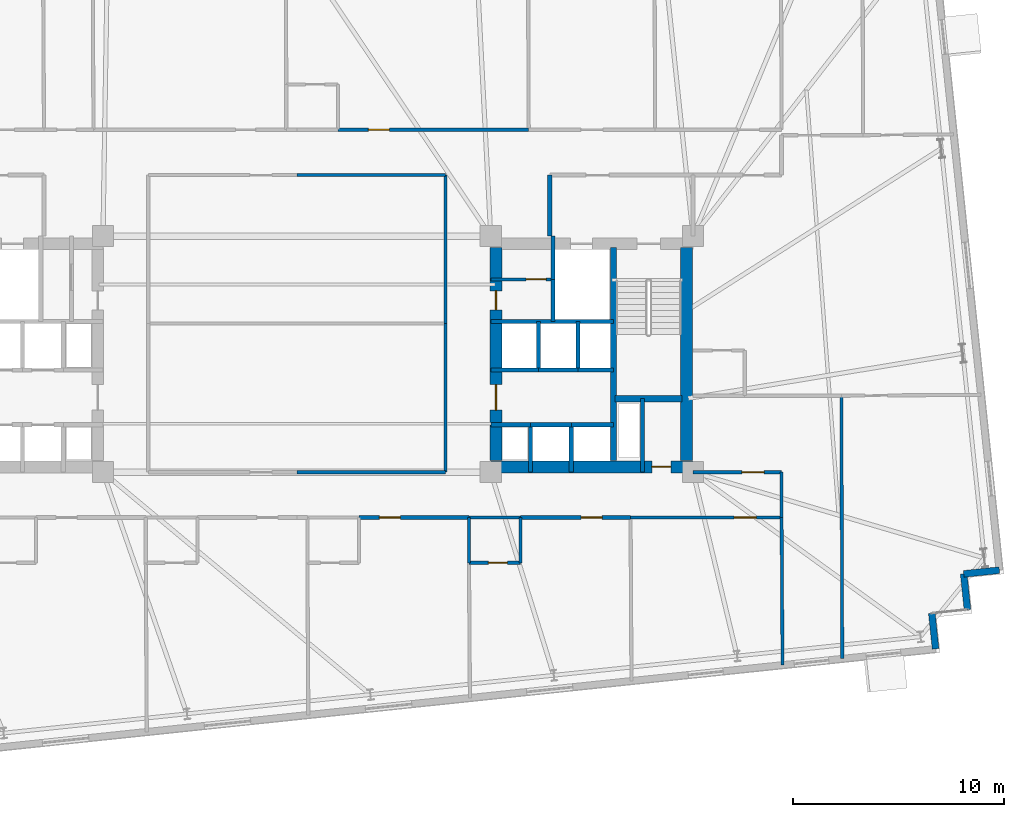
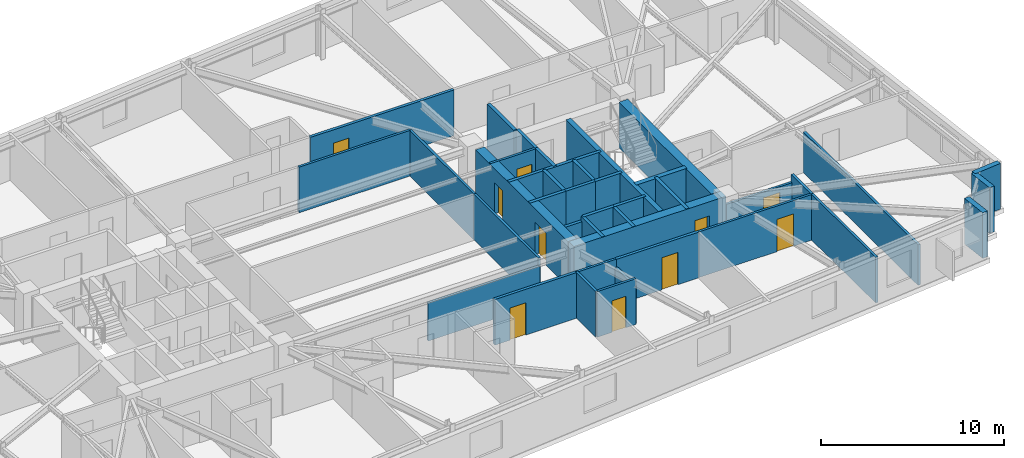
# One storey, part 14 of 18: 40 walls, 10 doors, 10 openings.
"""IFC4 building model written with IfcOpenShell, lengths in metres."""

import ifcopenshell
import ifcopenshell.guid

model = None  # the IFC model being written
_history = None  # IfcOwnerHistory: only IFC2X3 demands one
_inside = {}  # id of a spatial element -> (the spatial element, [elements in it])
_under = {}  # id of a project, library or spatial element -> (it, [spatial elements below it])
_declared = {}  # id of a project -> (the project, [libraries it declares])
_typed = {}  # id of a type object -> (the type object, [elements of that type])
_made_of = {}  # id of a material, layer set ... -> (it, [elements and type objects made of it])


def new_model(schema):
    """Start an empty IFC model of exactly this schema.

    Asked for "IFC4X3", IfcOpenShell would pick the latest addendum, in which some entities
    have other attributes; the version numbers below select the first issue.
    IFC2X3 requires an IfcOwnerHistory on every rooted entity: one is made here for all.
    """
    global model, _history
    if schema == "IFC4X3":
        model = ifcopenshell.file(schema_version=(4, 3, 0, 0))
    else:
        model = ifcopenshell.file(schema=schema)
    _inside.clear()
    _under.clear()
    _declared.clear()
    _typed.clear()
    _made_of.clear()
    _history = None
    if model.schema == "IFC2X3":
        org = make("IfcOrganization", Name="unknown")
        user = make(
            "IfcPersonAndOrganization",
            ThePerson=make("IfcPerson", FamilyName="unknown"),
            TheOrganization=org,
        )
        app = make(
            "IfcApplication",
            ApplicationDeveloper=org,
            Version="unknown",
            ApplicationFullName="unknown",
            ApplicationIdentifier="unknown",
        )
        _history = make(
            "IfcOwnerHistory",
            OwningUser=user,
            OwningApplication=app,
            ChangeAction="ADDED",
            CreationDate=0,
        )
    return model


def make(cls, **values):
    """One entity of the class cls with the attributes given. An attribute that is None is left unset."""
    return model.create_entity(
        cls, **{name: value for name, value in values.items() if value is not None}
    )


def rooted(cls, **values):
    """An entity with a GlobalId (a new one), such as an element, a storey or a relation."""
    return make(cls, GlobalId=ifcopenshell.guid.new(), OwnerHistory=_history, **values)


def si_unit(unit_type, name, prefix=None):
    """IfcSIUnit, for example si_unit("LENGTHUNIT", "METRE", prefix="MILLI")."""
    return make("IfcSIUnit", UnitType=unit_type, Prefix=prefix, Name=name)


def assignment(units):
    """IfcUnitAssignment: the units of a project."""
    return None if units is None else make("IfcUnitAssignment", Units=units)


def point(xyz):
    """IfcCartesianPoint."""
    return None if xyz is None else make("IfcCartesianPoint", Coordinates=xyz)


def direction(xyz):
    """IfcDirection."""
    return None if xyz is None else make("IfcDirection", DirectionRatios=xyz)


def frame(location, z_axis=None, x_axis=None):
    """IfcAxis2Placement3D, a coordinate frame: its origin and axes. An axis left out is left unset."""
    return make(
        "IfcAxis2Placement3D",
        Location=point(location),
        Axis=direction(z_axis),
        RefDirection=direction(x_axis),
    )


def frame_2d(location, x_axis=None):
    """IfcAxis2Placement2D, a coordinate frame in the plane: its origin and x axis."""
    return make(
        "IfcAxis2Placement2D", Location=point(location), RefDirection=direction(x_axis)
    )


def origin():
    """The frame at (0, 0, 0) with its axes left unset."""
    return frame((0.0, 0.0, 0.0))


def place(relative_to, where):
    """IfcLocalPlacement: puts the frame where relative to a parent placement (None: the world)."""
    return make(
        "IfcLocalPlacement", PlacementRelTo=relative_to, RelativePlacement=where
    )


def context(
    kind, dimensions, precision=None, world=None, true_north=None, identifier=None
):
    """IfcGeometricRepresentationContext, for example the 3D "Model" context."""
    return make(
        "IfcGeometricRepresentationContext",
        ContextIdentifier=identifier,
        ContextType=kind,
        CoordinateSpaceDimension=dimensions,
        Precision=precision,
        WorldCoordinateSystem=world,
        TrueNorth=true_north,
    )


def subcontext(parent, identifier, kind, view, scale=None):
    """IfcGeometricRepresentationSubContext, for example "Body" below "Model"."""
    return make(
        "IfcGeometricRepresentationSubContext",
        ContextIdentifier=identifier,
        ContextType=kind,
        ParentContext=parent,
        TargetScale=scale,
        TargetView=view,
    )


def project(units=None, contexts=None):
    """IfcProject with its units and contexts."""
    return rooted(
        "IfcProject",
        Name="project",
        RepresentationContexts=contexts,
        UnitsInContext=assignment(units),
    )


def spatial(cls, under=None, at=None, **own):
    """A site, building, storey or space (cls), placed at a placement, below another one or the project."""
    s = rooted(cls, ObjectPlacement=at, **own)
    if under is not None:
        _under.setdefault(under.id(), (under, []))[1].append(s)
    return s


def profile(cls, at=None, kind="AREA", **sizes):
    """A parametric profile (cls). Its sizes go by their IFC names, for example OverallWidth=200.0."""
    return make(cls, ProfileType=kind, Position=at, **sizes)


def rectangle(**sizes):
    """IfcRectangleProfileDef."""
    return profile("IfcRectangleProfileDef", **sizes)


def extrude(swept, where, along, depth):
    """IfcExtrudedAreaSolid: the profile swept, set in the frame where, extruded along a direction by depth."""
    return make(
        "IfcExtrudedAreaSolid",
        SweptArea=swept,
        Position=where,
        ExtrudedDirection=direction(along),
        Depth=depth,
    )


def shape(context_of_items, identifier, shape_type, items):
    """IfcShapeRepresentation: the items that make up one representation, for example the "Body"."""
    return make(
        "IfcShapeRepresentation",
        ContextOfItems=context_of_items,
        RepresentationIdentifier=identifier,
        RepresentationType=shape_type,
        Items=items,
    )


def material(Name=None, Category=None):
    """IfcMaterial."""
    return make("IfcMaterial", Name=Name, Category=Category)


def layer(
    of_material, thickness, ventilated=None, Name=None, Category=None, Priority=None
):
    """IfcMaterialLayer: one layer of a wall or slab, of a material (None: an air gap)."""
    return make(
        "IfcMaterialLayer",
        Material=of_material,
        LayerThickness=thickness,
        IsVentilated=ventilated,
        Name=Name,
        Category=Category,
        Priority=Priority,
    )


def layer_set(layers, Name=None):
    """IfcMaterialLayerSet."""
    return make("IfcMaterialLayerSet", MaterialLayers=layers, LayerSetName=Name)


def made_of(thing, what):
    """Note that an element or type object is made of a material, layer set ...; save() writes the relation."""
    if what is not None:
        _made_of.setdefault(what.id(), (what, []))[1].append(thing)
    return thing


def type_object(cls, material=None, **own):
    """A type object (cls), such as IfcWallType, which elements share."""
    return made_of(rooted(cls, **own), material)


def element(
    cls,
    number,
    at=None,
    inside=None,
    cuts=None,
    type_object=None,
    material=None,
    context=None,
    identifier="Body",
    shape_type=None,
    held_by="IfcProductDefinitionShape",
    body=None,
    shapes=None,
    **own,
):
    """One element of the class cls, such as IfcWall. Its Tag is "e" and its number.

    at: its placement. inside: the storey or other place that contains it. cuts: it is an
    opening in that element (IfcRelVoidsElement). A single representation is given by context,
    identifier, shape_type and body (its items); several are given by shapes. held_by: the class
    of the entity that holds the representations. save() writes the other relations.
    """
    e = rooted(cls, Tag="e%d" % number, ObjectPlacement=at, **own)
    if body is not None:
        shapes = [shape(context, identifier, shape_type, body)]
    if shapes is not None:
        e.Representation = make(held_by, Representations=shapes)
    if inside is not None:
        _inside.setdefault(inside.id(), (inside, []))[1].append(e)
    if cuts is not None:
        rooted(
            "IfcRelVoidsElement", RelatingBuildingElement=cuts, RelatedOpeningElement=e
        )
    if type_object is not None:
        _typed.setdefault(type_object.id(), (type_object, []))[1].append(e)
    return made_of(e, material)


def fill(opening, filler):
    """IfcRelFillsElement: the door or window that sits in an opening."""
    return rooted(
        "IfcRelFillsElement",
        RelatingOpeningElement=opening,
        RelatedBuildingElement=filler,
    )


def aggregate(whole, parts):
    """IfcRelAggregates: a whole, such as a stair, and the parts it consists of."""
    return rooted("IfcRelAggregates", RelatingObject=whole, RelatedObjects=parts)


def save(model, path):
    """Write the relations noted so far, then the file.

    IfcRelAggregates (storeys below a building ...), IfcRelContainedInSpatialStructure (elements
    in a storey), IfcRelDefinesByType, IfcRelAssociatesMaterial and IfcRelDeclares: one each for
    every whole, place, type object, material and project.
    """
    for whole, parts in _under.values():
        aggregate(whole, parts)
    for where, things in _inside.values():
        rooted(
            "IfcRelContainedInSpatialStructure",
            RelatedElements=things,
            RelatingStructure=where,
        )
    for kind, things in _typed.values():
        rooted("IfcRelDefinesByType", RelatedObjects=things, RelatingType=kind)
    for what, things in _made_of.values():
        rooted("IfcRelAssociatesMaterial", RelatedObjects=things, RelatingMaterial=what)
    for by, libraries in _declared.values():
        rooted("IfcRelDeclares", RelatingContext=by, RelatedDefinitions=libraries)
    model.write(path)


model = new_model("IFC4")

# Units and contexts
model_context = context("Model", 3, precision=1e-05, world=origin(), true_north=direction((0.0, 1.0)))
body_context = subcontext(model_context, "Body", "Model", "MODEL_VIEW")
ifc_project = project(units=[si_unit("LENGTHUNIT", "METRE"), si_unit("AREAUNIT", "SQUARE_METRE"), si_unit("VOLUMEUNIT", "CUBIC_METRE"), si_unit("PLANEANGLEUNIT", "RADIAN"), si_unit("MASSUNIT", "GRAM", prefix="KILO")], contexts=[model_context])

# Site, building, storey
site_placement = place(None, origin())
site = spatial("IfcSite", under=ifc_project, at=site_placement, CompositionType="ELEMENT")
building_placement = place(site_placement, origin())
building = spatial("IfcBuilding", under=site, at=building_placement, Name="Qobustan Lattice House", CompositionType="ELEMENT")
storey_placement = place(building_placement, frame((0.0, 0.0, 92.39990234375)))
storey = spatial("IfcBuildingStorey", under=building, at=storey_placement, Name="L25", CompositionType="ELEMENT", Elevation=92.39990234375)

# Wall, opening, door
ifc_material_1 = material(Name="Concrete C60/75", Category="concrete")
ifc_layer_1 = layer(ifc_material_1, 0.56005859375)
ifc_layer_set_1 = layer_set([ifc_layer_1], Name="Concrete C60/75")
wall_type_1 = type_object("IfcWallType", Name="WAL-CORE-600", PredefinedType="SHEAR", material=ifc_layer_set_1)
wall_1_placement = place(storey_placement, frame((9.199951171875, -5.35009765625, 0.0), z_axis=(0.0, 0.0, 1.0), x_axis=(1.0, 0.0, 0.0)))
wall_1 = element("IfcWall", 1, at=wall_1_placement, inside=storey, type_object=wall_type_1, Name="L25 split-core shear wall CE-S", PredefinedType="SHEAR", context=body_context, shape_type="SweptSolid", body=[
    extrude(rectangle(XDim=9.60009765625, YDim=0.56005859375, at=frame_2d((4.800048828125, 0.0))), origin(), (0.0, 0.0, 1.0), 3.045166015625),
])
opening_1_placement = place(wall_1_placement, frame((7.64990234375, 0.0, 0.0)))
opening_1 = element("IfcOpeningElement", 2, at=opening_1_placement, cuts=wall_1, Name="Opening RD-01", PredefinedType="OPENING", context=body_context, shape_type="SweptSolid", body=[
    extrude(rectangle(XDim=0.89990234375, YDim=2.10009765625, at=frame_2d((0.449951171875, 1.050048828125))), frame((0.0, 0.2900390625, 0.0), z_axis=(0.0, -1.0, 0.0), x_axis=(1.0, 0.0, 0.0)), (0.0, 0.0, 1.0), 0.580078125),
])
ifc_material_2 = material(Name="Persian walnut timber and steel frame door", Category="steel")
door_type_1 = type_object("IfcDoorType", Name="DOR-RISER-FD-900x2100", OperationType="NOTDEFINED", PredefinedType="DOOR", material=ifc_material_2)
door_1_placement = place(opening_1_placement, origin())
door_1 = element("IfcDoor", 3, at=door_1_placement, inside=storey, type_object=door_type_1, Name="L25 core service riser access door E", OperationType="SINGLE_SWING_LEFT", OverallHeight=2.10009765625, OverallWidth=0.89990234375, PredefinedType="DOOR", context=body_context, shape_type="SweptSolid", body=[
    extrude(rectangle(XDim=0.89990234375, YDim=2.10009765625, at=frame_2d((0.449951171875, 1.050048828125))), frame((0.0, 0.02490234375, 0.0), z_axis=(0.0, -1.0, 0.0), x_axis=(1.0, 0.0, 0.0)), (0.0, 0.0, 1.0), 0.050048828125),
])
fill(opening_1, door_1)

# Wall, openings, doors
wall_2_placement = place(storey_placement, frame((9.449951171875, -5.050048828125, 0.0), z_axis=(0.0, 0.0, 1.0), x_axis=(0.0, 1.0, 0.0)))
wall_2 = element("IfcWall", 4, at=wall_2_placement, inside=storey, type_object=wall_type_1, Name="L25 split-core shear wall CE-W", PredefinedType="SHEAR", context=body_context, shape_type="SweptSolid", body=[
    extrude(rectangle(XDim=10.10009765625, YDim=0.56005859375, at=frame_2d((5.050048828125, 0.0))), origin(), (0.0, 0.0, 1.0), 3.045166015625),
])
opening_2_placement = place(wall_2_placement, frame((7.14990234375, 0.0, 0.0)))
opening_2 = element("IfcOpeningElement", 5, at=opening_2_placement, cuts=wall_2, Name="Opening RD-01", PredefinedType="OPENING", context=body_context, shape_type="SweptSolid", body=[
    extrude(rectangle(XDim=0.89990234375, YDim=2.10009765625, at=frame_2d((0.449951171875, 1.050048828125))), frame((0.0, 0.2900390625, 0.0), z_axis=(0.0, -1.0, 0.0), x_axis=(1.0, 0.0, 0.0)), (0.0, 0.0, 1.0), 0.580078125),
])
opening_3_placement = place(wall_2_placement, frame((2.39990234375, 0.0, 0.0)))
opening_3 = element("IfcOpeningElement", 6, at=opening_3_placement, cuts=wall_2, Name="Opening FD-01", PredefinedType="OPENING", context=body_context, shape_type="SweptSolid", body=[
    extrude(rectangle(XDim=1.199951171875, YDim=2.14990234375, at=frame_2d((0.60009765625, 1.074951171875))), frame((0.0, 0.2900390625, 0.0), z_axis=(0.0, -1.0, 0.0), x_axis=(1.0, 0.0, 0.0)), (0.0, 0.0, 1.0), 0.580078125),
])
ifc_material_3 = material(Name="Persian walnut timber and steel frame door", Category="steel")
door_type_2 = type_object("IfcDoorType", Name="DOR-LOBBY-FD-1200x2150", OperationType="NOTDEFINED", PredefinedType="DOOR", material=ifc_material_3)
door_2_placement = place(opening_3_placement, origin())
door_2 = element("IfcDoor", 7, at=door_2_placement, inside=storey, type_object=door_type_2, Name="L25 East passenger lift lobby fire door", OperationType="SINGLE_SWING_LEFT", OverallHeight=2.14990234375, OverallWidth=1.199951171875, PredefinedType="DOOR", context=body_context, shape_type="SweptSolid", body=[
    extrude(rectangle(XDim=1.199951171875, YDim=2.14990234375, at=frame_2d((0.60009765625, 1.074951171875))), frame((0.0, 0.02490234375, 0.0), z_axis=(0.0, -1.0, 0.0), x_axis=(1.0, 0.0, 0.0)), (0.0, 0.0, 1.0), 0.050048828125),
])
fill(opening_3, door_2)
door_3_placement = place(opening_2_placement, origin())
door_3 = element("IfcDoor", 8, at=door_3_placement, inside=storey, type_object=door_type_1, Name="L25 Housekeeping utility foyer fire door", OperationType="SINGLE_SWING_RIGHT", OverallHeight=2.10009765625, OverallWidth=0.89990234375, PredefinedType="DOOR", context=body_context, shape_type="SweptSolid", body=[
    extrude(rectangle(XDim=0.89990234375, YDim=2.10009765625, at=frame_2d((0.449951171875, 1.050048828125))), frame((0.0, 0.02490234375, 0.0), z_axis=(0.0, -1.0, 0.0), x_axis=(1.0, 0.0, 0.0)), (0.0, 0.0, 1.0), 0.050048828125),
])
fill(opening_2, door_3)

# Walls
wall_3_placement = place(storey_placement, frame((18.489990234375, -5.050048828125, 0.0), z_axis=(0.0, 0.0, 1.0), x_axis=(0.0, 1.0, 0.0)))
element("IfcWall", 9, at=wall_3_placement, inside=storey, type_object=wall_type_1, Name="L25 split-core shear wall CE-E", PredefinedType="SHEAR", context=body_context, shape_type="SweptSolid", body=[
    extrude(rectangle(XDim=10.10009765625, YDim=0.56005859375, at=frame_2d((5.050048828125, 0.0))), origin(), (0.0, 0.0, 1.0), 3.045166015625),
])
ifc_material_4 = material(Name="Concrete C50/60", Category="concrete")
ifc_layer_2 = layer(ifc_material_4, 0.280029296875)
ifc_layer_set_2 = layer_set([ifc_layer_2], Name="Concrete C50/60")
wall_type_2 = type_object("IfcWallType", Name="WAL-CORE-SPINE-280", PredefinedType="SHEAR", material=ifc_layer_set_2)
wall_4_placement = place(storey_placement, frame((15.02001953125, -5.050048828125, 0.0), z_axis=(0.0, 0.0, 1.0), x_axis=(0.0, 1.0, 0.0)))
element("IfcWall", 10, at=wall_4_placement, inside=storey, type_object=wall_type_2, Name="L25 split-core shear wall CE-M", PredefinedType="SHEAR", context=body_context, shape_type="SweptSolid", body=[
    extrude(rectangle(XDim=10.10009765625, YDim=0.300048828125, at=frame_2d((5.050048828125, 0.0))), origin(), (0.0, 0.0, 1.0), 3.045166015625),
])
wall_5_placement = place(storey_placement, frame((15.10009765625, -2.110107421875, 0.0), z_axis=(0.0, 0.0, 1.0), x_axis=(1.0, 0.0, 0.0)))
element("IfcWall", 11, at=wall_5_placement, inside=storey, type_object=wall_type_2, Name="L25 split-core shear wall CE-ST", PredefinedType="SHEAR", context=body_context, shape_type="SweptSolid", body=[
    extrude(rectangle(XDim=3.179931640625, YDim=0.300048828125, at=frame_2d((1.58984375, 0.0))), origin(), (0.0, 0.0, 1.0), 3.045166015625),
])
ifc_material_5 = material(Name="Precast concrete C40/50", Category="concrete")
ifc_layer_3 = layer(ifc_material_5, 0.320068359375)
ifc_layer_set_3 = layer_set([ifc_layer_3], Name="Precast concrete C40/50")
wall_type_3 = type_object("IfcWallType", Name="WAL-EXT-STONE-320", PredefinedType="SOLIDWALL", material=ifc_layer_set_3)
for number, where, z_axis, x_axis, name in (
    (12, (33.333251953125, -10.2490234375, 0.0), (0.0, 0.0, 1.0), (-0.994519608382, -0.104550220202, 0.0), "L25 exterior limestone-clad wall 16"),
    (13, (31.642578125, -10.4267578125, 0.0), (0.0, 0.0, 1.0), (0.104550220202, -0.994519608382, 0.0), "L25 exterior limestone-clad wall 17"),
):
    element("IfcWall", number, at=place(storey_placement, frame(where, z_axis=z_axis, x_axis=x_axis)), inside=storey, type_object=wall_type_3, Name=name, PredefinedType="SOLIDWALL", context=body_context, shape_type="SweptSolid", body=[
        extrude(rectangle(XDim=1.699951171875, YDim=0.320068359375, at=frame_2d((0.85009765625, 0.0))), origin(), (0.0, 0.0, 1.0), 3.045166015625),
    ])
wall_6_placement = place(storey_placement, frame((30.129638671875, -12.295166015625, 0.0), z_axis=(0.0, 0.0, 1.0), x_axis=(0.104565154801, -0.994518038248, 0.0)))
element("IfcWall", 14, at=wall_6_placement, inside=storey, type_object=wall_type_3, Name="L25 exterior limestone-clad wall 19", PredefinedType="SOLIDWALL", context=body_context, shape_type="SweptSolid", body=[
    extrude(rectangle(XDim=1.69970703125, YDim=0.320068359375, at=frame_2d((0.849853515625, 0.0))), origin(), (0.0, 0.0, 1.0), 3.045166015625),
])

# Wall, opening, door
ifc_material_6 = material(Name="Gypsum fireboard acoustic partition", Category="gypsum")
ifc_layer_4 = layer(ifc_material_6, 0.179931640625)
ifc_layer_set_4 = layer_set([ifc_layer_4], Name="Gypsum fireboard acoustic partition")
wall_type_4 = type_object("IfcWallType", Name="WAL-FIRE-180", PredefinedType="PARTITIONING", material=ifc_layer_set_4)
wall_7_placement = place(storey_placement, frame((1.949951171875, 10.64990234375, 0.0), z_axis=(0.0, 0.0, 1.0), x_axis=(1.0, 0.0, 0.0)))
wall_7 = element("IfcWall", 15, at=wall_7_placement, inside=storey, type_object=wall_type_4, Name="L25 interior partition 48", PredefinedType="PARTITIONING", context=body_context, shape_type="SweptSolid", body=[
    extrude(rectangle(XDim=9.050048828125, YDim=0.179931640625, at=frame_2d((4.52490234375, 0.0))), origin(), (0.0, 0.0, 1.0), 3.045166015625),
])
opening_4_placement = place(wall_7_placement, frame((1.44140625, 0.0, 0.0)))
opening_4 = element("IfcOpeningElement", 16, at=opening_4_placement, cuts=wall_7, Name="Opening FD-02", PredefinedType="OPENING", context=body_context, shape_type="SweptSolid", body=[
    extrude(rectangle(XDim=1.0, YDim=2.14990234375, at=frame_2d((0.5, 1.074951171875))), frame((0.0, 0.099853515625, 0.0), z_axis=(0.0, -1.0, 0.0), x_axis=(1.0, 0.0, 0.0)), (0.0, 0.0, 1.0), 0.199951171875),
])
ifc_material_7 = material(Name="Persian walnut timber and steel frame door", Category="steel")
door_type_3 = type_object("IfcDoorType", Name="DOR-UNIT-FD-1000x2150", OperationType="NOTDEFINED", PredefinedType="DOOR", material=ifc_material_7)
door_4_placement = place(opening_4_placement, origin())
door_4 = element("IfcDoor", 17, at=door_4_placement, inside=storey, type_object=door_type_3, Name="L25 North-east floor corridor to Kitchenette and studio apartment L25-N3 door", OperationType="SINGLE_SWING_LEFT", OverallHeight=2.14990234375, OverallWidth=1.0, PredefinedType="DOOR", context=body_context, shape_type="SweptSolid", body=[
    extrude(rectangle(XDim=1.0, YDim=2.14990234375, at=frame_2d((0.5, 1.074951171875))), frame((0.0, 0.02490234375, 0.0), z_axis=(0.0, -1.0, 0.0), x_axis=(1.0, 0.0, 0.0)), (0.0, 0.0, 1.0), 0.050048828125),
])
fill(opening_4, door_4)

wall_8_placement = place(storey_placement, frame((8.1669921875, -7.75, 0.0), z_axis=(0.0, 0.0, 1.0), x_axis=(-1.0, 0.0, 0.0)))
wall_8 = element("IfcWall", 18, at=wall_8_placement, inside=storey, type_object=wall_type_4, Name="L25 interior partition 65", PredefinedType="PARTITIONING", context=body_context, shape_type="SweptSolid", body=[
    extrude(rectangle(XDim=5.217041015625, YDim=0.179931640625, at=frame_2d((2.6083984375, 0.0))), origin(), (0.0, 0.0, 1.0), 3.045166015625),
])
opening_5_placement = place(wall_8_placement, frame((3.2548828125, 0.0, 0.0)))
opening_5 = element("IfcOpeningElement", 19, at=opening_5_placement, cuts=wall_8, Name="Opening FD-02", PredefinedType="OPENING", context=body_context, shape_type="SweptSolid", body=[
    extrude(rectangle(XDim=1.0, YDim=2.14990234375, at=frame_2d((0.5, 1.074951171875))), frame((0.0, 0.099853515625, 0.0), z_axis=(0.0, -1.0, 0.0), x_axis=(1.0, 0.0, 0.0)), (0.0, 0.0, 1.0), 0.199951171875),
])
door_5_placement = place(opening_5_placement, origin())
door_5 = element("IfcDoor", 20, at=door_5_placement, inside=storey, type_object=door_type_3, Name="L25 South-east floor corridor to Kitchenette and studio apartment L25-S4 door", OperationType="SINGLE_SWING_LEFT", OverallHeight=2.14990234375, OverallWidth=1.0, PredefinedType="DOOR", context=body_context, shape_type="SweptSolid", body=[
    extrude(rectangle(XDim=1.0, YDim=2.14990234375, at=frame_2d((0.5, 1.074951171875))), frame((0.0, 0.02490234375, 0.0), z_axis=(0.0, -1.0, 0.0), x_axis=(1.0, 0.0, 0.0)), (0.0, 0.0, 1.0), 0.050048828125),
])
fill(opening_5, door_5)

wall_9_placement = place(storey_placement, frame((15.8330078125, -7.75, 0.0), z_axis=(0.0, 0.0, 1.0), x_axis=(-1.0, 0.0, 0.0)))
wall_9 = element("IfcWall", 21, at=wall_9_placement, inside=storey, type_object=wall_type_4, Name="L25 interior partition 67", PredefinedType="PARTITIONING", context=body_context, shape_type="SweptSolid", body=[
    extrude(rectangle(XDim=5.216064453125, YDim=0.179931640625, at=frame_2d((2.60791015625, 0.0))), origin(), (0.0, 0.0, 1.0), 3.045166015625),
])
opening_6_placement = place(wall_9_placement, frame((1.343994140625, 0.0, 0.0)))
opening_6 = element("IfcOpeningElement", 22, at=opening_6_placement, cuts=wall_9, Name="Opening FD-02", PredefinedType="OPENING", context=body_context, shape_type="SweptSolid", body=[
    extrude(rectangle(XDim=1.0, YDim=2.14990234375, at=frame_2d((0.5, 1.074951171875))), frame((0.0, 0.099853515625, 0.0), z_axis=(0.0, -1.0, 0.0), x_axis=(1.0, 0.0, 0.0)), (0.0, 0.0, 1.0), 0.199951171875),
])
door_6_placement = place(opening_6_placement, origin())
door_6 = element("IfcDoor", 23, at=door_6_placement, inside=storey, type_object=door_type_3, Name="L25 South-east floor corridor to Kitchenette and studio apartment L25-S5 door", OperationType="SINGLE_SWING_RIGHT", OverallHeight=2.14990234375, OverallWidth=1.0, PredefinedType="DOOR", context=body_context, shape_type="SweptSolid", body=[
    extrude(rectangle(XDim=1.0, YDim=2.14990234375, at=frame_2d((0.5, 1.074951171875))), frame((0.0, 0.02490234375, 0.0), z_axis=(0.0, -1.0, 0.0), x_axis=(1.0, 0.0, 0.0)), (0.0, 0.0, 1.0), 0.050048828125),
])
fill(opening_6, door_6)

ifc_material_8 = material(Name="Acoustic twin-stud gypsum partition", Category="gypsum")
ifc_layer_5 = layer(ifc_material_8, 0.14990234375)
ifc_layer_set_5 = layer_set([ifc_layer_5], Name="Acoustic twin-stud gypsum partition")
wall_type_5 = type_object("IfcWallType", Name="WAL-PART-150", PredefinedType="PARTITIONING", material=ifc_layer_set_5)
wall_10_placement = place(storey_placement, frame((12.14990234375, 3.550048828125, 0.0), z_axis=(0.0, 0.0, 1.0), x_axis=(-1.0, 0.0, 0.0)))
wall_10 = element("IfcWall", 24, at=wall_10_placement, inside=storey, type_object=wall_type_5, Name="L25 interior partition 25", PredefinedType="PARTITIONING", context=body_context, shape_type="SweptSolid", body=[
    extrude(rectangle(XDim=2.949951171875, YDim=0.14990234375, at=frame_2d((1.47509765625, 0.0))), origin(), (0.0, 0.0, 1.0), 3.045166015625),
])
opening_7_placement = place(wall_10_placement, frame((0.324951171875, 0.0, 0.0)))
opening_7 = element("IfcOpeningElement", 25, at=opening_7_placement, cuts=wall_10, Name="Opening ID-01", PredefinedType="OPENING", context=body_context, shape_type="SweptSolid", body=[
    extrude(rectangle(XDim=0.949951171875, YDim=2.10009765625, at=frame_2d((0.47509765625, 1.050048828125))), frame((0.0, 0.0849609375, 0.0), z_axis=(0.0, -1.0, 0.0), x_axis=(1.0, 0.0, 0.0)), (0.0, 0.0, 1.0), 0.169921875),
])
ifc_material_9 = material(Name="Persian walnut timber and steel frame door", Category="steel")
door_type_4 = type_object("IfcDoorType", Name="DOR-ROOM-950x2100", OperationType="NOTDEFINED", PredefinedType="DOOR", material=ifc_material_9)
door_7_placement = place(opening_7_placement, origin())
door_7 = element("IfcDoor", 26, at=door_7_placement, inside=storey, type_object=door_type_4, Name="L25 Housekeeping utility foyer to Cleaner cupboard door", OperationType="SINGLE_SWING_LEFT", OverallHeight=2.10009765625, OverallWidth=0.949951171875, PredefinedType="DOOR", context=body_context, shape_type="SweptSolid", body=[
    extrude(rectangle(XDim=0.949951171875, YDim=2.10009765625, at=frame_2d((0.47509765625, 1.050048828125))), frame((0.0, 0.02490234375, 0.0), z_axis=(0.0, -1.0, 0.0), x_axis=(1.0, 0.0, 0.0)), (0.0, 0.0, 1.0), 0.050048828125),
])
fill(opening_7, door_7)

# Wall
wall_11_placement = place(storey_placement, frame((7.050048828125, 8.5, 0.0), z_axis=(0.0, 0.0, 1.0), x_axis=(-1.0, 0.0, 0.0)))
element("IfcWall", 27, at=wall_11_placement, inside=storey, type_object=wall_type_5, Name="L25 interior partition 52", PredefinedType="PARTITIONING", context=body_context, shape_type="SweptSolid", body=[
    extrude(rectangle(XDim=7.050048828125, YDim=0.14990234375, at=frame_2d((3.52490234375, 0.0))), origin(), (0.0, 0.0, 1.0), 3.045166015625),
])

# Wall, opening, door
wall_12_placement = place(storey_placement, frame((18.800048828125, -5.60009765625, 0.0), z_axis=(0.0, 0.0, 1.0), x_axis=(1.0, 0.0, 0.0)))
wall_12 = element("IfcWall", 28, at=wall_12_placement, inside=storey, type_object=wall_type_5, Name="L25 interior partition 62", PredefinedType="PARTITIONING", context=body_context, shape_type="SweptSolid", body=[
    extrude(rectangle(XDim=4.199951171875, YDim=0.14990234375, at=frame_2d((2.10009765625, 0.0))), origin(), (0.0, 0.0, 1.0), 2.530029296875),
])
opening_8_placement = place(wall_12_placement, frame((2.3212890625, 0.0, 0.0)))
opening_8 = element("IfcOpeningElement", 29, at=opening_8_placement, cuts=wall_12, Name="Opening ID-02", PredefinedType="OPENING", context=body_context, shape_type="SweptSolid", body=[
    extrude(rectangle(XDim=1.050048828125, YDim=2.14990234375, at=frame_2d((0.52490234375, 1.074951171875))), frame((0.0, 0.0849609375, 0.0), z_axis=(0.0, -1.0, 0.0), x_axis=(1.0, 0.0, 0.0)), (0.0, 0.0, 1.0), 0.169921875),
])
ifc_material_10 = material(Name="Persian walnut timber and steel frame door", Category="steel")
door_type_5 = type_object("IfcDoorType", Name="DOR-STUDY-1050x2150", OperationType="NOTDEFINED", PredefinedType="DOOR", material=ifc_material_10)
door_8_placement = place(opening_8_placement, origin())
door_8 = element("IfcDoor", 30, at=door_8_placement, inside=storey, type_object=door_type_5, Name="L25 South-east floor corridor to Focus study room E1A door", OperationType="SINGLE_SWING_RIGHT", OverallHeight=2.14990234375, OverallWidth=1.050048828125, PredefinedType="DOOR", context=body_context, shape_type="SweptSolid", body=[
    extrude(rectangle(XDim=1.050048828125, YDim=2.14990234375, at=frame_2d((0.52490234375, 1.074951171875))), frame((0.0, 0.02490234375, 0.0), z_axis=(0.0, -1.0, 0.0), x_axis=(1.0, 0.0, 0.0)), (0.0, 0.0, 1.0), 0.050048828125),
])
fill(opening_8, door_8)

# Wall
wall_13_placement = place(storey_placement, frame((23.0, -5.60009765625, 0.0), z_axis=(0.0, 0.0, 1.0), x_axis=(0.0, -1.0, 0.0)))
element("IfcWall", 31, at=wall_13_placement, inside=storey, type_object=wall_type_5, Name="L25 interior partition 63", PredefinedType="PARTITIONING", context=body_context, shape_type="SweptSolid", body=[
    extrude(rectangle(XDim=2.14990234375, YDim=0.14990234375, at=frame_2d((1.074951171875, 0.0))), origin(), (0.0, 0.0, 1.0), 3.045166015625),
])

# Wall, opening, door
wall_14_placement = place(storey_placement, frame((23.0, -7.75, 0.0), z_axis=(0.0, 0.0, 1.0), x_axis=(-1.0, 0.0, 0.0)))
wall_14 = element("IfcWall", 32, at=wall_14_placement, inside=storey, type_object=wall_type_5, Name="L25 interior partition 69", PredefinedType="PARTITIONING", context=body_context, shape_type="SweptSolid", body=[
    extrude(rectangle(XDim=7.1669921875, YDim=0.14990234375, at=frame_2d((3.58349609375, 0.0))), origin(), (0.0, 0.0, 1.0), 3.045166015625),
])
opening_9_placement = place(wall_14_placement, frame((1.19970703125, 0.0, 0.0)))
opening_9 = element("IfcOpeningElement", 33, at=opening_9_placement, cuts=wall_14, Name="Opening ID-02", PredefinedType="OPENING", context=body_context, shape_type="SweptSolid", body=[
    extrude(rectangle(XDim=1.050048828125, YDim=2.14990234375, at=frame_2d((0.52490234375, 1.074951171875))), frame((0.0, 0.0849609375, 0.0), z_axis=(0.0, -1.0, 0.0), x_axis=(1.0, 0.0, 0.0)), (0.0, 0.0, 1.0), 0.169921875),
])
door_9_placement = place(opening_9_placement, origin())
door_9 = element("IfcDoor", 34, at=door_9_placement, inside=storey, type_object=door_type_5, Name="L25 South-east floor corridor to Group study room door", OperationType="SINGLE_SWING_LEFT", OverallHeight=2.14990234375, OverallWidth=1.050048828125, PredefinedType="DOOR", context=body_context, shape_type="SweptSolid", body=[
    extrude(rectangle(XDim=1.050048828125, YDim=2.14990234375, at=frame_2d((0.52490234375, 1.074951171875))), frame((0.0, 0.02490234375, 0.0), z_axis=(0.0, -1.0, 0.0), x_axis=(1.0, 0.0, 0.0)), (0.0, 0.0, 1.0), 0.050048828125),
])
fill(opening_9, door_9)

# Walls
wall_15_placement = place(storey_placement, frame((0.0, -5.60009765625, 0.0), z_axis=(0.0, 0.0, 1.0), x_axis=(1.0, 0.0, 0.0)))
element("IfcWall", 35, at=wall_15_placement, inside=storey, type_object=wall_type_5, Name="L25 interior partition 70", PredefinedType="PARTITIONING", context=body_context, shape_type="SweptSolid", body=[
    extrude(rectangle(XDim=7.050048828125, YDim=0.14990234375, at=frame_2d((3.52490234375, 0.0))), origin(), (0.0, 0.0, 1.0), 2.530029296875),
])
for number, where, z_axis, x_axis, name in (
    (36, (7.050048828125, -5.60009765625, 0.0), (0.0, 0.0, 1.0), (0.0, 1.0, 0.0), "L25 interior partition 73"),
    (37, (7.050048828125, 1.449951171875, 0.0), (0.0, 0.0, 1.0), (0.0, 1.0, 0.0), "L25 interior partition 74"),
):
    element("IfcWall", number, at=place(storey_placement, frame(where, z_axis=z_axis, x_axis=x_axis)), inside=storey, type_object=wall_type_5, Name=name, PredefinedType="PARTITIONING", context=body_context, shape_type="SweptSolid", body=[
        extrude(rectangle(XDim=7.050048828125, YDim=0.14990234375, at=frame_2d((3.52490234375, 0.0))), origin(), (0.0, 0.0, 1.0), 3.045166015625),
    ])
wall_16_placement = place(storey_placement, frame((25.835693359375, -1.971923828125, 0.0), z_axis=(0.0, 0.0, 1.0), x_axis=(0.003521449358, -0.999993799678, 0.0)))
element("IfcWall", 38, at=wall_16_placement, inside=storey, type_object=wall_type_5, Name="L25 interior partition 78", PredefinedType="PARTITIONING", context=body_context, shape_type="SweptSolid", body=[
    extrude(rectangle(XDim=12.479248046875, YDim=0.14990234375, at=frame_2d((6.23974609375, 0.0))), origin(), (0.0, 0.0, 1.0), 2.7001953125),
])
wall_17_placement = place(storey_placement, frame((23.0439453125, -14.7490234375, 0.0), z_axis=(0.0, 0.0, 1.0), x_axis=(-0.006278653971, 0.999980289058, 0.0)))
element("IfcWall", 39, at=wall_17_placement, inside=storey, type_object=wall_type_5, Name="L25 interior partition 81", PredefinedType="PARTITIONING", context=body_context, shape_type="SweptSolid", body=[
    extrude(rectangle(XDim=6.999267578125, YDim=0.14990234375, at=frame_2d((3.49951171875, 0.0))), origin(), (0.0, 0.0, 1.0), 3.045166015625),
])
ifc_material_11 = material(Name="Two-hour gypsum fireboard acoustic partition", Category="gypsum")
ifc_layer_6 = layer(ifc_material_11, 0.199951171875)
ifc_layer_set_6 = layer_set([ifc_layer_6], Name="Two-hour gypsum fireboard acoustic partition")
wall_type_6 = type_object("IfcWallType", Name="WAL-PROT-200", PredefinedType="PARTITIONING", material=ifc_layer_set_6)
wall_18_placement = place(storey_placement, frame((12.0, 8.5, 0.0), z_axis=(0.0, 0.0, 1.0), x_axis=(0.0, -1.0, 0.0)))
element("IfcWall", 40, at=wall_18_placement, inside=storey, type_object=wall_type_6, Name="L25 interior partition 23", PredefinedType="PARTITIONING", context=body_context, shape_type="SweptSolid", body=[
    extrude(rectangle(XDim=2.89990234375, YDim=0.199951171875, at=frame_2d((1.449951171875, 0.0))), origin(), (0.0, 0.0, 1.0), 3.045166015625),
])
ifc_material_12 = material(Name="Concrete C40/50", Category="concrete")
ifc_layer_7 = layer(ifc_material_12, 0.199951171875)
ifc_layer_set_7 = layer_set([ifc_layer_7], Name="Concrete C40/50")
wall_type_7 = type_object("IfcWallType", Name="WAL-SHAFT-200", PredefinedType="PARTITIONING", material=ifc_layer_set_7)
wall_19_placement = place(storey_placement, frame((16.39990234375, -2.110107421875, 0.0), z_axis=(0.0, 0.0, 1.0), x_axis=(0.0, -1.0, 0.0)))
element("IfcWall", 41, at=wall_19_placement, inside=storey, type_object=wall_type_7, Name="L25 interior partition 19", PredefinedType="PARTITIONING", context=body_context, shape_type="SweptSolid", body=[
    extrude(rectangle(XDim=3.489990234375, YDim=0.199951171875, at=frame_2d((1.7451171875, 0.0))), origin(), (0.0, 0.0, 1.0), 3.045166015625),
])
wall_20_placement = place(storey_placement, frame((12.14990234375, 3.550048828125, 0.0), z_axis=(0.0, 0.0, 1.0), x_axis=(0.0, -1.0, 0.0)))
element("IfcWall", 42, at=wall_20_placement, inside=storey, type_object=wall_type_7, Name="L25 interior partition 20", PredefinedType="PARTITIONING", context=body_context, shape_type="SweptSolid", body=[
    extrude(rectangle(XDim=2.0, YDim=0.199951171875, at=frame_2d((1.0, 0.0))), origin(), (0.0, 0.0, 1.0), 3.045166015625),
])
wall_21_placement = place(storey_placement, frame((12.14990234375, 5.60009765625, 0.0), z_axis=(0.0, 0.0, 1.0), x_axis=(0.0, -1.0, 0.0)))
element("IfcWall", 43, at=wall_21_placement, inside=storey, type_object=wall_type_7, Name="L25 interior partition 21", PredefinedType="PARTITIONING", context=body_context, shape_type="SweptSolid", body=[
    extrude(rectangle(XDim=2.050048828125, YDim=0.199951171875, at=frame_2d((1.02490234375, 0.0))), origin(), (0.0, 0.0, 1.0), 3.045166015625),
])
wall_22_placement = place(storey_placement, frame((9.199951171875, -3.35009765625, 0.0), z_axis=(0.0, 0.0, 1.0), x_axis=(1.0, 0.0, 0.0)))
element("IfcWall", 44, at=wall_22_placement, inside=storey, type_object=wall_type_7, Name="L25 interior partition 27", PredefinedType="PARTITIONING", context=body_context, shape_type="SweptSolid", body=[
    extrude(rectangle(XDim=1.880126953125, YDim=0.199951171875, at=frame_2d((0.93994140625, 0.0))), origin(), (0.0, 0.0, 1.0), 2.760009765625),
])
wall_23_placement = place(storey_placement, frame((11.080078125, -3.35009765625, 0.0), z_axis=(0.0, 0.0, 1.0), x_axis=(1.0, 0.0, 0.0)))
element("IfcWall", 45, at=wall_23_placement, inside=storey, type_object=wall_type_7, Name="L25 interior partition 28", PredefinedType="PARTITIONING", context=body_context, shape_type="SweptSolid", body=[
    extrude(rectangle(XDim=1.93994140625, YDim=0.199951171875, at=frame_2d((0.969970703125, 0.0))), origin(), (0.0, 0.0, 1.0), 3.045166015625),
])
wall_24_placement = place(storey_placement, frame((13.02001953125, -3.35009765625, 0.0), z_axis=(0.0, 0.0, 1.0), x_axis=(1.0, 0.0, 0.0)))
element("IfcWall", 46, at=wall_24_placement, inside=storey, type_object=wall_type_7, Name="L25 interior partition 29", PredefinedType="PARTITIONING", context=body_context, shape_type="SweptSolid", body=[
    extrude(rectangle(XDim=2.0, YDim=0.199951171875, at=frame_2d((1.0, 0.0))), origin(), (0.0, 0.0, 1.0), 3.045166015625),
])
wall_25_placement = place(storey_placement, frame((11.4599609375, -0.75, 0.0), z_axis=(0.0, 0.0, 1.0), x_axis=(-1.0, 0.0, 0.0)))
element("IfcWall", 47, at=wall_25_placement, inside=storey, type_object=wall_type_7, Name="L25 interior partition 30", PredefinedType="PARTITIONING", context=body_context, shape_type="SweptSolid", body=[
    extrude(rectangle(XDim=2.260009765625, YDim=0.199951171875, at=frame_2d((1.1298828125, 0.0))), origin(), (0.0, 0.0, 1.0), 3.045166015625),
])
wall_26_placement = place(storey_placement, frame((13.340087890625, -0.75, 0.0), z_axis=(0.0, 0.0, 1.0), x_axis=(-1.0, 0.0, 0.0)))
element("IfcWall", 48, at=wall_26_placement, inside=storey, type_object=wall_type_7, Name="L25 interior partition 31", PredefinedType="PARTITIONING", context=body_context, shape_type="SweptSolid", body=[
    extrude(rectangle(XDim=1.880126953125, YDim=0.199951171875, at=frame_2d((0.93994140625, 0.0))), origin(), (0.0, 0.0, 1.0), 3.045166015625),
])
wall_27_placement = place(storey_placement, frame((15.02001953125, -0.75, 0.0), z_axis=(0.0, 0.0, 1.0), x_axis=(-1.0, 0.0, 0.0)))
element("IfcWall", 49, at=wall_27_placement, inside=storey, type_object=wall_type_7, Name="L25 interior partition 32", PredefinedType="PARTITIONING", context=body_context, shape_type="SweptSolid", body=[
    extrude(rectangle(XDim=1.679931640625, YDim=0.199951171875, at=frame_2d((0.83984375, 0.0))), origin(), (0.0, 0.0, 1.0), 3.045166015625),
])
for number, where, z_axis, x_axis, name in (
    (50, (11.080078125, -5.60009765625, 0.0), (0.0, 0.0, 1.0), (0.0, 1.0, 0.0), "L25 interior partition 34"),
    (51, (13.02001953125, -5.60009765625, 0.0), (0.0, 0.0, 1.0), (0.0, 1.0, 0.0), "L25 interior partition 35"),
):
    element("IfcWall", number, at=place(storey_placement, frame(where, z_axis=z_axis, x_axis=x_axis)), inside=storey, type_object=wall_type_7, Name=name, PredefinedType="PARTITIONING", context=body_context, shape_type="SweptSolid", body=[
        extrude(rectangle(XDim=2.25, YDim=0.199951171875, at=frame_2d((1.125, 0.0))), origin(), (0.0, 0.0, 1.0), 3.045166015625),
    ])
for number, where, z_axis, x_axis, name in (
    (52, (11.4599609375, -0.75, 0.0), (0.0, 0.0, 1.0), (0.0, 1.0, 0.0), "L25 interior partition 36"),
    (53, (13.340087890625, -0.75, 0.0), (0.0, 0.0, 1.0), (0.0, 1.0, 0.0), "L25 interior partition 37"),
):
    element("IfcWall", number, at=place(storey_placement, frame(where, z_axis=z_axis, x_axis=x_axis)), inside=storey, type_object=wall_type_7, Name=name, PredefinedType="PARTITIONING", context=body_context, shape_type="SweptSolid", body=[
        extrude(rectangle(XDim=2.300048828125, YDim=0.199951171875, at=frame_2d((1.14990234375, 0.0))), origin(), (0.0, 0.0, 1.0), 3.045166015625),
    ])
wall_28_placement = place(storey_placement, frame((9.199951171875, 1.550048828125, 0.0), z_axis=(0.0, 0.0, 1.0), x_axis=(1.0, 0.0, 0.0)))
element("IfcWall", 54, at=wall_28_placement, inside=storey, type_object=wall_type_7, Name="L25 interior partition 118", PredefinedType="PARTITIONING", context=body_context, shape_type="SweptSolid", body=[
    extrude(rectangle(XDim=5.820068359375, YDim=0.199951171875, at=frame_2d((2.91015625, 0.0))), origin(), (0.0, 0.0, 1.0), 3.045166015625),
])
ifc_material_13 = material(Name="Moisture-resistant acoustic plumbing wall", Category="gypsum")
ifc_layer_8 = layer(ifc_material_13, 0.14990234375)
ifc_layer_set_8 = layer_set([ifc_layer_8], Name="Moisture-resistant acoustic plumbing wall")
wall_type_8 = type_object("IfcWallType", Name="WAL-WET-150", PredefinedType="PLUMBINGWALL", material=ifc_layer_set_8)
wall_29_placement = place(storey_placement, frame((10.616943359375, -7.75, 0.0), z_axis=(0.0, 0.0, 1.0), x_axis=(-1.0, 0.0, 0.0)))
element("IfcWall", 55, at=wall_29_placement, inside=storey, type_object=wall_type_8, Name="L25 interior partition 68", PredefinedType="PLUMBINGWALL", context=body_context, shape_type="SweptSolid", body=[
    extrude(rectangle(XDim=2.449951171875, YDim=0.14990234375, at=frame_2d((1.22509765625, 0.0))), origin(), (0.0, 0.0, 1.0), 3.045166015625),
])
wall_30_placement = place(storey_placement, frame((8.1669921875, -7.75, 0.0), z_axis=(0.0, 0.0, 1.0), x_axis=(0.0, -1.0, 0.0)))
element("IfcWall", 56, at=wall_30_placement, inside=storey, type_object=wall_type_8, Name="L25 interior partition 112", PredefinedType="PLUMBINGWALL", context=body_context, shape_type="SweptSolid", body=[
    extrude(rectangle(XDim=2.14990234375, YDim=0.14990234375, at=frame_2d((1.074951171875, 0.0))), origin(), (0.0, 0.0, 1.0), 3.045166015625),
])

# Wall, opening, door
wall_31_placement = place(storey_placement, frame((8.1669921875, -9.89990234375, 0.0), z_axis=(0.0, 0.0, 1.0), x_axis=(1.0, 0.0, 0.0)))
wall_31 = element("IfcWall", 57, at=wall_31_placement, inside=storey, type_object=wall_type_8, Name="L25 interior partition 113", PredefinedType="PLUMBINGWALL", context=body_context, shape_type="SweptSolid", body=[
    extrude(rectangle(XDim=2.449951171875, YDim=0.14990234375, at=frame_2d((1.22509765625, 0.0))), origin(), (0.0, 0.0, 1.0), 3.045166015625),
])
opening_10_placement = place(wall_31_placement, frame((0.92138671875, 0.0, 0.0)))
opening_10 = element("IfcOpeningElement", 58, at=opening_10_placement, cuts=wall_31, Name="Opening WD-01", PredefinedType="OPENING", context=body_context, shape_type="SweptSolid", body=[
    extrude(rectangle(XDim=0.89990234375, YDim=2.10009765625, at=frame_2d((0.449951171875, 1.050048828125))), frame((0.0, 0.0849609375, 0.0), z_axis=(0.0, -1.0, 0.0), x_axis=(1.0, 0.0, 0.0)), (0.0, 0.0, 1.0), 0.169921875),
])
ifc_material_14 = material(Name="Persian walnut timber and steel frame door", Category="steel")
door_type_6 = type_object("IfcDoorType", Name="DOR-WET-900x2100", OperationType="NOTDEFINED", PredefinedType="DOOR", material=ifc_material_14)
door_10_placement = place(opening_10_placement, origin())
door_10 = element("IfcDoor", 59, at=door_10_placement, inside=storey, type_object=door_type_6, Name="L25 Kitchenette and studio apartment L25-S5 to En-suite bathroom L25-S5 door", OperationType="SINGLE_SWING_RIGHT", OverallHeight=2.10009765625, OverallWidth=0.89990234375, PredefinedType="DOOR", context=body_context, shape_type="SweptSolid", body=[
    extrude(rectangle(XDim=0.89990234375, YDim=2.10009765625, at=frame_2d((0.449951171875, 1.050048828125))), frame((0.0, 0.02490234375, 0.0), z_axis=(0.0, -1.0, 0.0), x_axis=(1.0, 0.0, 0.0)), (0.0, 0.0, 1.0), 0.050048828125),
])
fill(opening_10, door_10)

# Wall
wall_32_placement = place(storey_placement, frame((10.616943359375, -9.89990234375, 0.0), z_axis=(0.0, 0.0, 1.0), x_axis=(0.0, 1.0, 0.0)))
element("IfcWall", 60, at=wall_32_placement, inside=storey, type_object=wall_type_8, Name="L25 interior partition 114", PredefinedType="PLUMBINGWALL", context=body_context, shape_type="SweptSolid", body=[
    extrude(rectangle(XDim=2.14990234375, YDim=0.14990234375, at=frame_2d((1.074951171875, 0.0))), origin(), (0.0, 0.0, 1.0), 2.530029296875),
])

save(model, "model.ifc")
